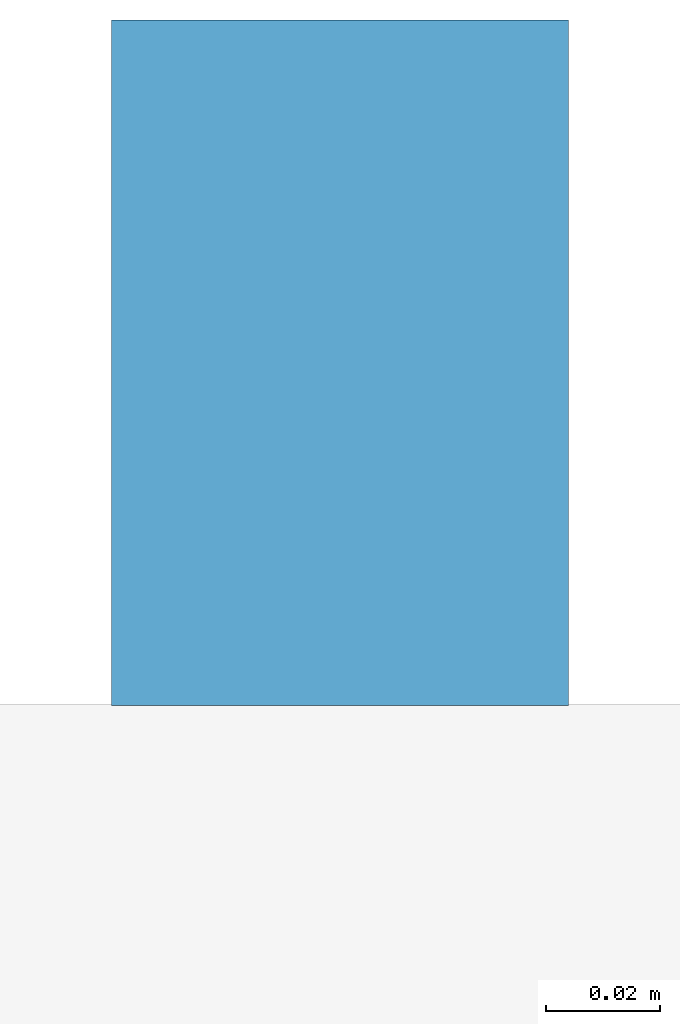
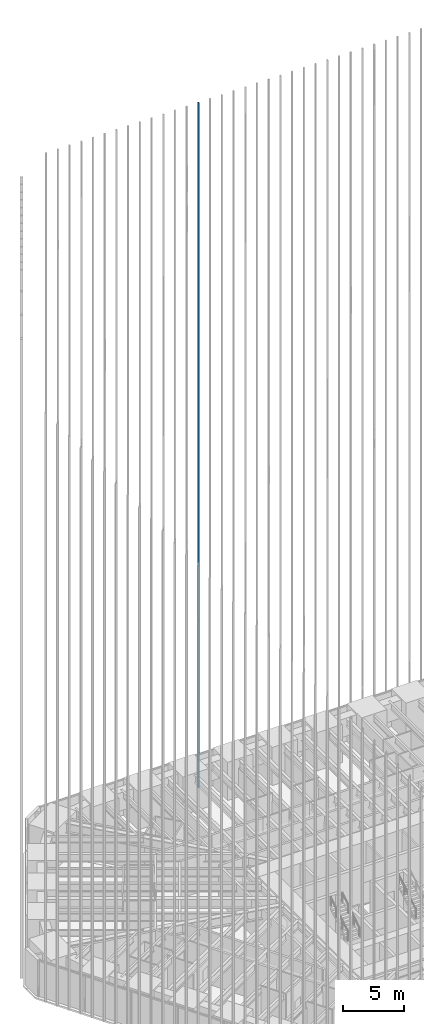
# One storey, part 184 of 256: 1 member, 1 element without a shape of its own.
"""IFC4 building model written with IfcOpenShell, lengths in metres."""

import ifcopenshell
import ifcopenshell.guid

model = None  # the IFC model being written
_history = None  # IfcOwnerHistory: only IFC2X3 demands one
_inside = {}  # id of a spatial element -> (the spatial element, [elements in it])
_under = {}  # id of a project, library or spatial element -> (it, [spatial elements below it])
_declared = {}  # id of a project -> (the project, [libraries it declares])
_typed = {}  # id of a type object -> (the type object, [elements of that type])
_made_of = {}  # id of a material, layer set ... -> (it, [elements and type objects made of it])


def new_model(schema):
    """Start an empty IFC model of exactly this schema.

    Asked for "IFC4X3", IfcOpenShell would pick the latest addendum, in which some entities
    have other attributes; the version numbers below select the first issue.
    IFC2X3 requires an IfcOwnerHistory on every rooted entity: one is made here for all.
    """
    global model, _history
    if schema == "IFC4X3":
        model = ifcopenshell.file(schema_version=(4, 3, 0, 0))
    else:
        model = ifcopenshell.file(schema=schema)
    _inside.clear()
    _under.clear()
    _declared.clear()
    _typed.clear()
    _made_of.clear()
    _history = None
    if model.schema == "IFC2X3":
        org = make("IfcOrganization", Name="unknown")
        user = make(
            "IfcPersonAndOrganization",
            ThePerson=make("IfcPerson", FamilyName="unknown"),
            TheOrganization=org,
        )
        app = make(
            "IfcApplication",
            ApplicationDeveloper=org,
            Version="unknown",
            ApplicationFullName="unknown",
            ApplicationIdentifier="unknown",
        )
        _history = make(
            "IfcOwnerHistory",
            OwningUser=user,
            OwningApplication=app,
            ChangeAction="ADDED",
            CreationDate=0,
        )
    return model


def make(cls, **values):
    """One entity of the class cls with the attributes given. An attribute that is None is left unset."""
    return model.create_entity(
        cls, **{name: value for name, value in values.items() if value is not None}
    )


def rooted(cls, **values):
    """An entity with a GlobalId (a new one), such as an element, a storey or a relation."""
    return make(cls, GlobalId=ifcopenshell.guid.new(), OwnerHistory=_history, **values)


def si_unit(unit_type, name, prefix=None):
    """IfcSIUnit, for example si_unit("LENGTHUNIT", "METRE", prefix="MILLI")."""
    return make("IfcSIUnit", UnitType=unit_type, Prefix=prefix, Name=name)


def assignment(units):
    """IfcUnitAssignment: the units of a project."""
    return None if units is None else make("IfcUnitAssignment", Units=units)


def point(xyz):
    """IfcCartesianPoint."""
    return None if xyz is None else make("IfcCartesianPoint", Coordinates=xyz)


def direction(xyz):
    """IfcDirection."""
    return None if xyz is None else make("IfcDirection", DirectionRatios=xyz)


def frame(location, z_axis=None, x_axis=None):
    """IfcAxis2Placement3D, a coordinate frame: its origin and axes. An axis left out is left unset."""
    return make(
        "IfcAxis2Placement3D",
        Location=point(location),
        Axis=direction(z_axis),
        RefDirection=direction(x_axis),
    )


def frame_2d(location, x_axis=None):
    """IfcAxis2Placement2D, a coordinate frame in the plane: its origin and x axis."""
    return make(
        "IfcAxis2Placement2D", Location=point(location), RefDirection=direction(x_axis)
    )


def origin():
    """The frame at (0, 0, 0) with its axes left unset."""
    return frame((0.0, 0.0, 0.0))


def origin_2d():
    """The frame at (0, 0) in the plane with its x axis left unset."""
    return frame_2d((0.0, 0.0))


def place(relative_to, where):
    """IfcLocalPlacement: puts the frame where relative to a parent placement (None: the world)."""
    return make(
        "IfcLocalPlacement", PlacementRelTo=relative_to, RelativePlacement=where
    )


def context(
    kind, dimensions, precision=None, world=None, true_north=None, identifier=None
):
    """IfcGeometricRepresentationContext, for example the 3D "Model" context."""
    return make(
        "IfcGeometricRepresentationContext",
        ContextIdentifier=identifier,
        ContextType=kind,
        CoordinateSpaceDimension=dimensions,
        Precision=precision,
        WorldCoordinateSystem=world,
        TrueNorth=true_north,
    )


def subcontext(parent, identifier, kind, view, scale=None):
    """IfcGeometricRepresentationSubContext, for example "Body" below "Model"."""
    return make(
        "IfcGeometricRepresentationSubContext",
        ContextIdentifier=identifier,
        ContextType=kind,
        ParentContext=parent,
        TargetScale=scale,
        TargetView=view,
    )


def project(units=None, contexts=None):
    """IfcProject with its units and contexts."""
    return rooted(
        "IfcProject",
        Name="project",
        RepresentationContexts=contexts,
        UnitsInContext=assignment(units),
    )


def spatial(cls, under=None, at=None, **own):
    """A site, building, storey or space (cls), placed at a placement, below another one or the project."""
    s = rooted(cls, ObjectPlacement=at, **own)
    if under is not None:
        _under.setdefault(under.id(), (under, []))[1].append(s)
    return s


def profile(cls, at=None, kind="AREA", **sizes):
    """A parametric profile (cls). Its sizes go by their IFC names, for example OverallWidth=200.0."""
    return make(cls, ProfileType=kind, Position=at, **sizes)


def rectangle(**sizes):
    """IfcRectangleProfileDef."""
    return profile("IfcRectangleProfileDef", **sizes)


def extrude(swept, where, along, depth):
    """IfcExtrudedAreaSolid: the profile swept, set in the frame where, extruded along a direction by depth."""
    return make(
        "IfcExtrudedAreaSolid",
        SweptArea=swept,
        Position=where,
        ExtrudedDirection=direction(along),
        Depth=depth,
    )


def shape(context_of_items, identifier, shape_type, items):
    """IfcShapeRepresentation: the items that make up one representation, for example the "Body"."""
    return make(
        "IfcShapeRepresentation",
        ContextOfItems=context_of_items,
        RepresentationIdentifier=identifier,
        RepresentationType=shape_type,
        Items=items,
    )


def material(Name=None, Category=None):
    """IfcMaterial."""
    return make("IfcMaterial", Name=Name, Category=Category)


def material_profile(
    of_material, cross_section, Name=None, Category=None, Priority=None
):
    """IfcMaterialProfile: a cross section and its material."""
    return make(
        "IfcMaterialProfile",
        Name=Name,
        Material=of_material,
        Profile=cross_section,
        Priority=Priority,
        Category=Category,
    )


def profile_set(profiles, Name=None, composite=None):
    """IfcMaterialProfileSet."""
    return make(
        "IfcMaterialProfileSet",
        Name=Name,
        MaterialProfiles=profiles,
        CompositeProfile=composite,
    )


def made_of(thing, what):
    """Note that an element or type object is made of a material, layer set ...; save() writes the relation."""
    if what is not None:
        _made_of.setdefault(what.id(), (what, []))[1].append(thing)
    return thing


def type_object(cls, material=None, **own):
    """A type object (cls), such as IfcWallType, which elements share."""
    return made_of(rooted(cls, **own), material)


def element(
    cls,
    number,
    at=None,
    inside=None,
    cuts=None,
    type_object=None,
    material=None,
    context=None,
    identifier="Body",
    shape_type=None,
    held_by="IfcProductDefinitionShape",
    body=None,
    shapes=None,
    **own,
):
    """One element of the class cls, such as IfcWall. Its Tag is "e" and its number.

    at: its placement. inside: the storey or other place that contains it. cuts: it is an
    opening in that element (IfcRelVoidsElement). A single representation is given by context,
    identifier, shape_type and body (its items); several are given by shapes. held_by: the class
    of the entity that holds the representations. save() writes the other relations.
    """
    e = rooted(cls, Tag="e%d" % number, ObjectPlacement=at, **own)
    if body is not None:
        shapes = [shape(context, identifier, shape_type, body)]
    if shapes is not None:
        e.Representation = make(held_by, Representations=shapes)
    if inside is not None:
        _inside.setdefault(inside.id(), (inside, []))[1].append(e)
    if cuts is not None:
        rooted(
            "IfcRelVoidsElement", RelatingBuildingElement=cuts, RelatedOpeningElement=e
        )
    if type_object is not None:
        _typed.setdefault(type_object.id(), (type_object, []))[1].append(e)
    return made_of(e, material)


def aggregate(whole, parts):
    """IfcRelAggregates: a whole, such as a stair, and the parts it consists of."""
    return rooted("IfcRelAggregates", RelatingObject=whole, RelatedObjects=parts)


def save(model, path):
    """Write the relations noted so far, then the file.

    IfcRelAggregates (storeys below a building ...), IfcRelContainedInSpatialStructure (elements
    in a storey), IfcRelDefinesByType, IfcRelAssociatesMaterial and IfcRelDeclares: one each for
    every whole, place, type object, material and project.
    """
    for whole, parts in _under.values():
        aggregate(whole, parts)
    for where, things in _inside.values():
        rooted(
            "IfcRelContainedInSpatialStructure",
            RelatedElements=things,
            RelatingStructure=where,
        )
    for kind, things in _typed.values():
        rooted("IfcRelDefinesByType", RelatedObjects=things, RelatingType=kind)
    for what, things in _made_of.values():
        rooted("IfcRelAssociatesMaterial", RelatedObjects=things, RelatingMaterial=what)
    for by, libraries in _declared.values():
        rooted("IfcRelDeclares", RelatingContext=by, RelatedDefinitions=libraries)
    model.write(path)


model = new_model("IFC4")

# Units and contexts
model_context = context("Model", 3, precision=1e-05, world=origin(), true_north=direction((0.0, 1.0)))
body_context = subcontext(model_context, "Body", "Model", "MODEL_VIEW")
ifc_project = project(units=[si_unit("LENGTHUNIT", "METRE"), si_unit("AREAUNIT", "SQUARE_METRE"), si_unit("VOLUMEUNIT", "CUBIC_METRE"), si_unit("PLANEANGLEUNIT", "RADIAN"), si_unit("MASSUNIT", "GRAM", prefix="KILO")], contexts=[model_context])

# Site, building, storey
site_placement = place(None, origin())
site = spatial("IfcSite", under=ifc_project, at=site_placement, CompositionType="ELEMENT")
building_placement = place(site_placement, origin())
building = spatial("IfcBuilding", under=site, at=building_placement, Name="Sandreach Pilgrim Tower", CompositionType="ELEMENT")
storey_placement = place(building_placement, frame((0.0, 0.0, 23.0)))
storey = spatial("IfcBuildingStorey", under=building, at=storey_placement, Name="L04", CompositionType="ELEMENT", Elevation=23.0)

# Curtain wall, member
ifc_material_1 = material(Name="Aluminium framed curtain wall", Category="aluminium")
curtain_wall_type = type_object("IfcCurtainWallType", Name="Hostel tower curtain wall", PredefinedType="NOTDEFINED", material=ifc_material_1)
curtain_wall_placement = place(storey_placement, origin())
curtain_wall = element("IfcCurtainWall", 1, at=curtain_wall_placement, inside=storey, type_object=curtain_wall_type, Name="CW-1 L04 N", PredefinedType="NOTDEFINED")
ifc_material_2 = material(Name="Extruded terracotta on aluminium core", Category="masonry")
ifc_material_profile = material_profile(ifc_material_2, rectangle(XDim=0.080078125, YDim=0.1201171875, at=origin_2d()), Name="TBN 80X120")
ifc_profile_set = profile_set([ifc_material_profile], Name="Extruded terracotta on aluminium core")
member_type = type_object("IfcMemberType", Name="Terracotta baguette north", PredefinedType="USERDEFINED", material=ifc_profile_set)
member_placement = place(storey_placement, frame((-4.417724609375, 24.30859375, 0.0), z_axis=(0.0, 0.0, 1.0), x_axis=(1.0, 0.0, 0.0)))
member = element("IfcMember", 2, at=member_placement, type_object=member_type, Name="Baguette Z1 N14", ObjectType="BAGUETTE", PredefinedType="USERDEFINED", context=body_context, shape_type="SweptSolid", body=[
    extrude(rectangle(XDim=0.080078125, YDim=0.1201171875, at=origin_2d()), origin(), (0.0, 0.0, 1.0), 68.239990234375),
])
aggregate(curtain_wall, [member])

save(model, "model.ifc")
